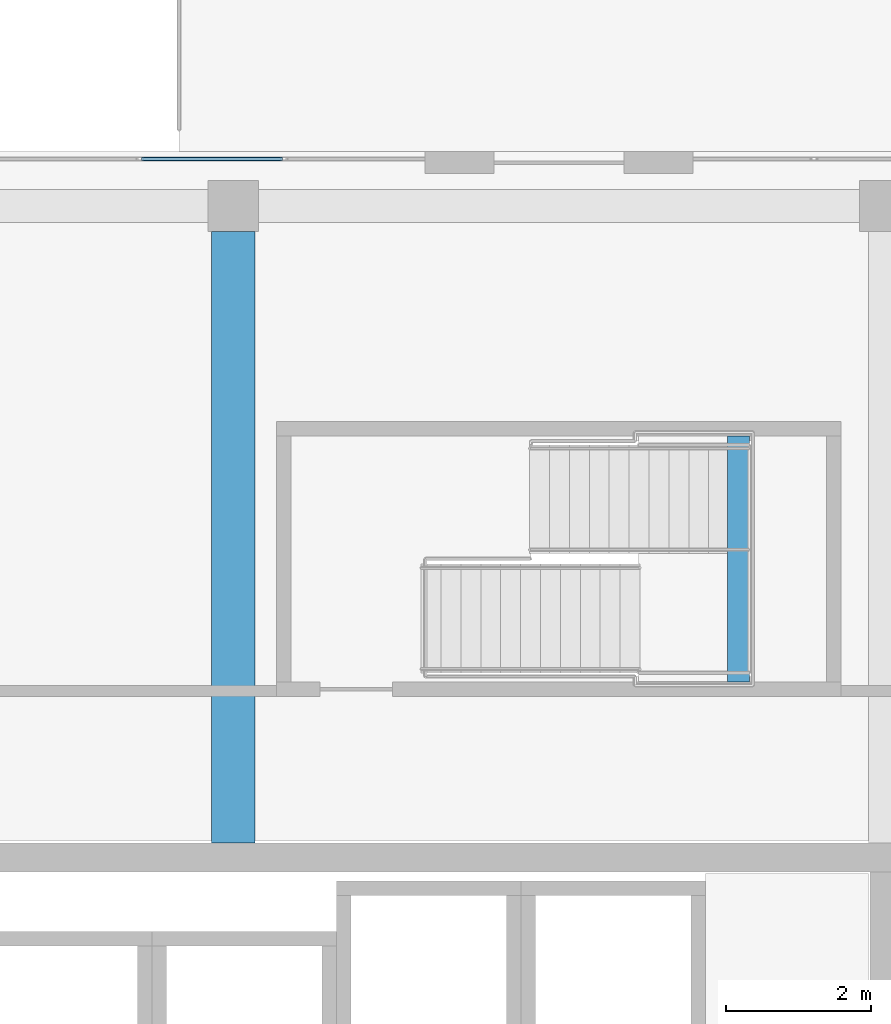
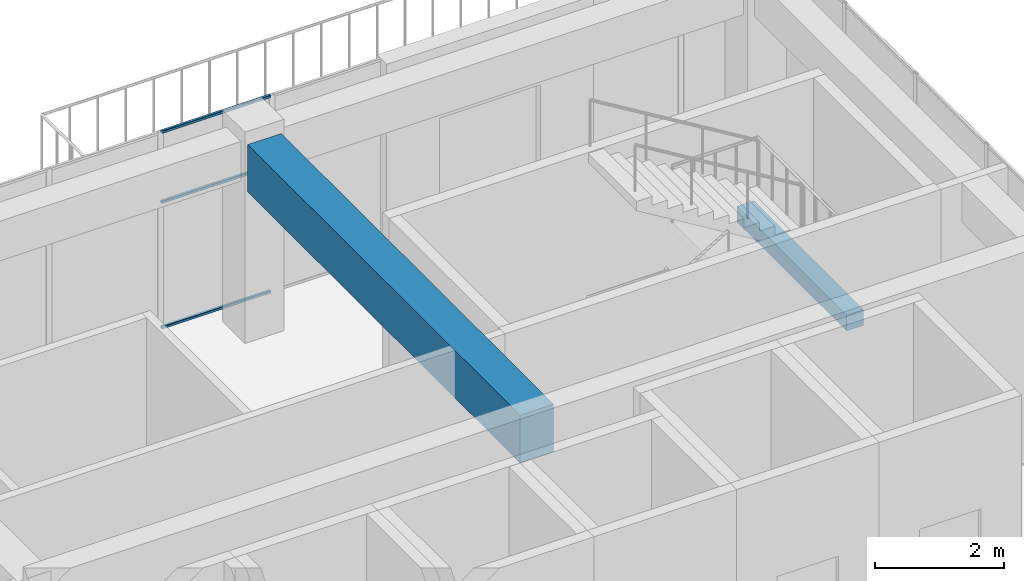
# One storey, part 33 of 49: 3 members, 2 beams, 1 element without a shape of its own.
"""IFC4 building model written with IfcOpenShell, lengths in metres."""

from ifc_helpers import new_model, si_unit, direction, frame, origin, origin_2d, place, context, subcontext, project, spatial, rectangle, hollow_rectangle, extrude, material, layer, layer_set, material_profile, profile_set, type_object, element, aggregate, save


model = new_model("IFC4")

# Units and contexts
model_context = context("Model", 3, precision=1e-05, world=origin(), true_north=direction((0.0, 1.0)))
body_context = subcontext(model_context, "Body", "Model", "MODEL_VIEW")
ifc_project = project(units=[si_unit("LENGTHUNIT", "METRE"), si_unit("AREAUNIT", "SQUARE_METRE"), si_unit("VOLUMEUNIT", "CUBIC_METRE"), si_unit("PLANEANGLEUNIT", "RADIAN"), si_unit("MASSUNIT", "GRAM", prefix="KILO")], contexts=[model_context])

# Site, building, storey
site_placement = place(None, origin())
site = spatial("IfcSite", under=ifc_project, at=site_placement, CompositionType="ELEMENT")
building_placement = place(site_placement, origin())
building = spatial("IfcBuilding", under=site, at=building_placement, Name="Tuart Plaza Theatre", CompositionType="ELEMENT")
storey_placement = place(building_placement, frame((0.0, 0.0, 29.5)))
storey = spatial("IfcBuildingStorey", under=building, at=storey_placement, Name="L07", CompositionType="ELEMENT", Elevation=29.5)

# Beams
ifc_material_1 = material(Name="Concrete N40 (40 MPa)", Category="concrete")
ifc_material_profile_1 = material_profile(ifc_material_1, rectangle(XDim=0.300048828125, YDim=0.300048828125, at=origin_2d()), Name="BEAM 300x300 Concrete N40 (40 MPa)")
ifc_profile_set_1 = profile_set([ifc_material_profile_1], Name="Concrete N40 (40 MPa)")
beam_type_1 = type_object("IfcBeamType", Name="BEAM 300x300 Concrete N40 (40 MPa)", PredefinedType="BEAM", material=ifc_profile_set_1)
beam_1_placement = place(storey_placement, frame((138.97998046875, 85.425048828125, 1.64990234375), z_axis=(0.0, 1.0, 0.0), x_axis=(-1.0, 0.0, 0.0)))
element("IfcBeam", 1, at=beam_1_placement, inside=storey, type_object=beam_type_1, Name="RB519", PredefinedType="BEAM", context=body_context, shape_type="SweptSolid", body=[
    extrude(rectangle(XDim=0.300048828125, YDim=0.300048828125, at=origin_2d()), origin(), (0.0, 0.0, 1.0), 3.39990234375),
])
ifc_material_2 = material(Name="Concrete N40 (40 MPa)", Category="concrete")
ifc_material_profile_2 = material_profile(ifc_material_2, rectangle(XDim=0.60009765625, YDim=0.89990234375, at=origin_2d()), Name="BEAM 600x900 Concrete N40 (40 MPa)")
ifc_profile_set_2 = profile_set([ifc_material_profile_2], Name="Concrete N40 (40 MPa)")
beam_type_2 = type_object("IfcBeamType", Name="BEAM 600x900 Concrete N40 (40 MPa)", PredefinedType="BEAM", material=ifc_profile_set_2)
beam_2_placement = place(storey_placement, frame((132.0, 83.199951171875, 3.300048828125), z_axis=(0.0, 1.0, 0.0), x_axis=(-1.0, 0.0, 0.0)))
element("IfcBeam", 2, at=beam_2_placement, inside=storey, type_object=beam_type_2, Name="RB270", PredefinedType="BEAM", context=body_context, shape_type="SweptSolid", body=[
    extrude(rectangle(XDim=0.60009765625, YDim=0.89990234375, at=origin_2d()), origin(), (0.0, 0.0, 1.0), 8.449951171875),
])

# Curtain wall, members
ifc_material_3 = material(Name="Aluminium and glass", Category="aluminium")
ifc_layer = layer(ifc_material_3, 0.10009765625)
ifc_layer_set = layer_set([ifc_layer], Name="CURTAIN WALL 2000 module")
curtain_wall_type = type_object("IfcCurtainWallType", Name="CURTAIN WALL 2000 module", PredefinedType="NOTDEFINED", material=ifc_layer_set)
curtain_wall_placement = place(storey_placement, origin())
curtain_wall = element("IfcCurtainWall", 3, at=curtain_wall_placement, inside=storey, type_object=curtain_wall_type, Name="CW96", PredefinedType="NOTDEFINED")
ifc_material_4 = material(Name="Aluminium 6063-T5", Category="aluminium")
ifc_material_profile_3 = material_profile(ifc_material_4, hollow_rectangle(XDim=0.050048828125, YDim=0.050048828125, WallThickness=0.00390625, InnerFilletRadius=0.00390625, OuterFilletRadius=0.008056640625, at=origin_2d()), Name="RHS 50x50x4")
ifc_profile_set_3 = profile_set([ifc_material_profile_3], Name="Aluminium 6063-T5")
member_type = type_object("IfcMemberType", Name="TRANSOM RHS 50x50x4", PredefinedType="USERDEFINED", material=ifc_profile_set_3)
member_1_placement = place(storey_placement, frame((132.678955078125, 92.64990234375, 0.02490234375), z_axis=(-1.0, 0.0, 0.0), x_axis=(0.0, -1.0, 0.0)))
member_1 = element("IfcMember", 4, at=member_1_placement, type_object=member_type, Name="CW96 transom 2.1", ObjectType="TRANSOM", PredefinedType="USERDEFINED", context=body_context, shape_type="SweptSolid", body=[
    extrude(hollow_rectangle(XDim=0.050048828125, YDim=0.050048828125, WallThickness=0.00390625, InnerFilletRadius=0.00390625, OuterFilletRadius=0.008056640625, at=origin_2d()), origin(), (0.0, 0.0, 1.0), 1.9462890625),
])
member_2_placement = place(storey_placement, frame((132.678955078125, 92.64990234375, 2.39990234375), z_axis=(-1.0, 0.0, 0.0), x_axis=(0.0, -1.0, 0.0)))
member_2 = element("IfcMember", 5, at=member_2_placement, type_object=member_type, Name="CW96 transom 2.2", ObjectType="TRANSOM", PredefinedType="USERDEFINED", context=body_context, shape_type="SweptSolid", body=[
    extrude(hollow_rectangle(XDim=0.050048828125, YDim=0.050048828125, WallThickness=0.00390625, InnerFilletRadius=0.00390625, OuterFilletRadius=0.008056640625, at=origin_2d()), origin(), (0.0, 0.0, 1.0), 1.9462890625),
])
member_3_placement = place(storey_placement, frame((132.678955078125, 92.64990234375, 3.72509765625), z_axis=(-1.0, 0.0, 0.0), x_axis=(0.0, -1.0, 0.0)))
member_3 = element("IfcMember", 6, at=member_3_placement, type_object=member_type, Name="CW96 transom 2.3", ObjectType="TRANSOM", PredefinedType="USERDEFINED", context=body_context, shape_type="SweptSolid", body=[
    extrude(hollow_rectangle(XDim=0.050048828125, YDim=0.050048828125, WallThickness=0.00390625, InnerFilletRadius=0.00390625, OuterFilletRadius=0.008056640625, at=origin_2d()), origin(), (0.0, 0.0, 1.0), 1.9462890625),
])
aggregate(curtain_wall, [member_1, member_2, member_3])

save(model, "model.ifc")
